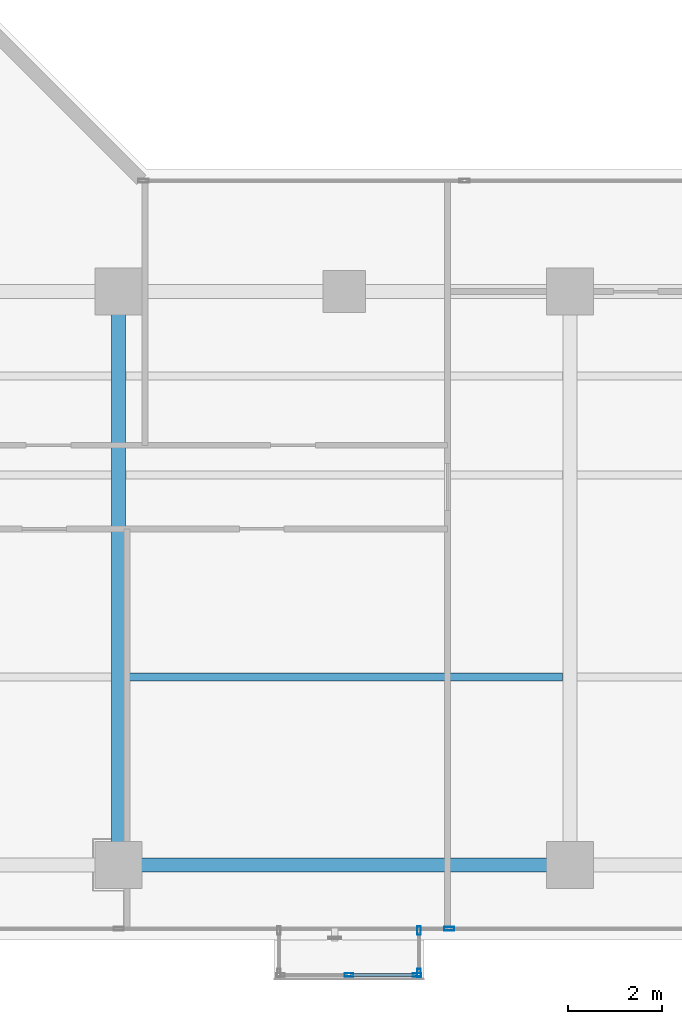
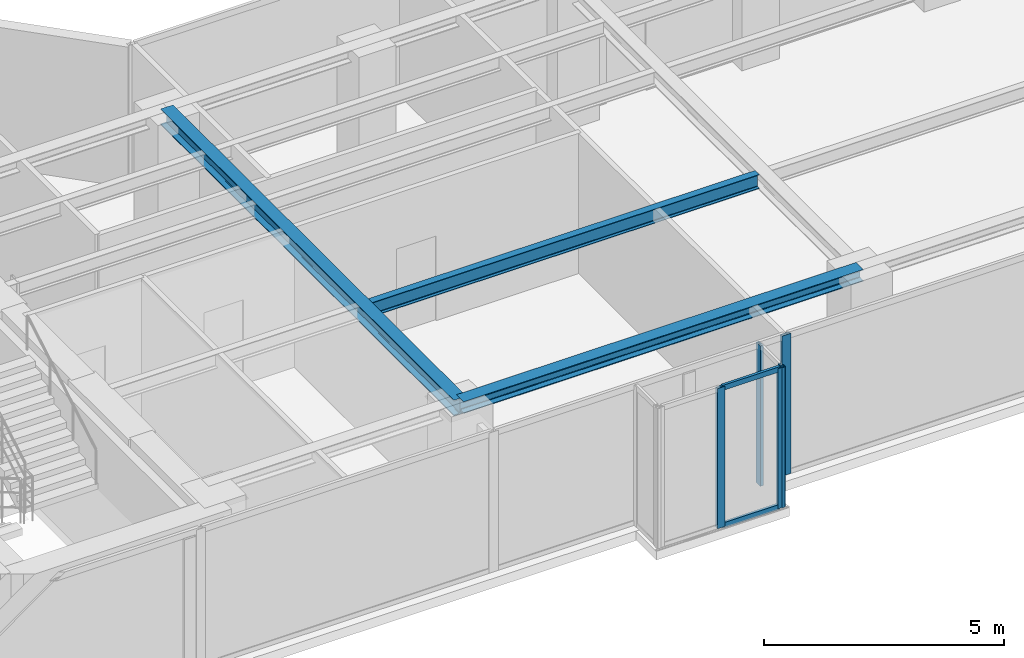
# One storey, part 5 of 23: 7 members, 3 beams, 3 elements without a shape of their own.
"""IFC4 building model written with IfcOpenShell, lengths in metres."""

from ifc_helpers import new_model, si_unit, direction, frame, origin, origin_with_axes, origin_2d, place, context, subcontext, project, spatial, hollow_rectangle, i_section, extrude, source, transform, mapped, material, layer, layer_set, material_profile, profile_set, type_object, element, aggregate, save


model = new_model("IFC4")

# Units and contexts
model_context = context("Model", 3, precision=1e-05, world=origin(), true_north=direction((0.0, 1.0)))
body_context = subcontext(model_context, "Body", "Model", "MODEL_VIEW")
ifc_project = project(units=[si_unit("LENGTHUNIT", "METRE"), si_unit("AREAUNIT", "SQUARE_METRE"), si_unit("VOLUMEUNIT", "CUBIC_METRE"), si_unit("PLANEANGLEUNIT", "RADIAN"), si_unit("MASSUNIT", "GRAM", prefix="KILO")], contexts=[model_context])

# Site, building, storey
site_placement = place(None, origin())
site = spatial("IfcSite", under=ifc_project, at=site_placement, CompositionType="ELEMENT")
building_placement = place(site_placement, origin())
building = spatial("IfcBuilding", under=site, at=building_placement, Name="Kolvaren Waterfront Exchange", CompositionType="ELEMENT")
storey_placement = place(building_placement, frame((0.0, 0.0, 234.89990234375)))
storey = spatial("IfcBuildingStorey", under=building, at=storey_placement, Name="L60", CompositionType="ELEMENT", Elevation=234.89990234375)

# Beams
ifc_material_1 = material(Name="Steel S355", Category="steel")
ifc_material_profile_1 = material_profile(ifc_material_1, i_section(OverallWidth=0.300048828125, OverallDepth=0.300048828125, WebThickness=0.010986328125, FlangeThickness=0.01904296875, FilletRadius=0.027099609375, at=origin_2d()), Name="HEB300")
ifc_profile_set_1 = profile_set([ifc_material_profile_1], Name="Steel S355")
beam_type_1 = type_object("IfcBeamType", Name="STR-BM-HEB300", PredefinedType="SPANDREL", material=ifc_profile_set_1)
beam_1_placement = place(storey_placement, frame((27.199951171875, 5.199951171875, 3.41015625), z_axis=(1.0, 0.0, 0.0), x_axis=(0.0, 1.0, 0.0)))
element("IfcBeam", 1, at=beam_1_placement, inside=storey, type_object=beam_type_1, Name="L60 east-arm spandrel S2", PredefinedType="SPANDREL", context=body_context, shape_type="SweptSolid", body=[
    extrude(i_section(OverallWidth=0.300048828125, OverallDepth=0.300048828125, WebThickness=0.010986328125, FlangeThickness=0.01904296875, FilletRadius=0.027099609375, at=origin_2d()), origin(), (0.0, 0.0, 1.0), 9.60009765625),
])
ifc_material_profile_2 = material_profile(ifc_material_1, i_section(OverallWidth=0.300048828125, OverallDepth=0.39990234375, WebThickness=0.013427734375, FlangeThickness=0.02392578125, FilletRadius=0.027099609375, at=origin_2d()), Name="HEB400")
ifc_profile_set_2 = profile_set([ifc_material_profile_2], Name="Steel S355")
beam_type_2 = type_object("IfcBeamType", Name="STR-BM-HEB400", PredefinedType="BEAM", material=ifc_profile_set_2)
beam_2_placement = place(storey_placement, frame((27.199951171875, 5.199951171875, 3.360107421875), z_axis=(0.0, 1.0, 0.0), x_axis=(-1.0, 0.0, 0.0)))
element("IfcBeam", 2, at=beam_2_placement, inside=storey, type_object=beam_type_2, Name="L60 east-arm transverse girder X27", PredefinedType="BEAM", context=body_context, shape_type="SweptSolid", body=[
    extrude(i_section(OverallWidth=0.300048828125, OverallDepth=0.39990234375, WebThickness=0.013427734375, FlangeThickness=0.02392578125, FilletRadius=0.027099609375, at=origin_2d()), origin(), (0.0, 0.0, 1.0), 12.199951171875),
])
ifc_material_profile_3 = material_profile(ifc_material_1, i_section(OverallWidth=0.169921875, OverallDepth=0.360107421875, WebThickness=0.008056640625, FlangeThickness=0.0126953125, FilletRadius=0.01806640625, at=origin_2d()), Name="IPE360")
ifc_profile_set_3 = profile_set([ifc_material_profile_3], Name="Steel S355")
beam_type_3 = type_object("IfcBeamType", Name="STR-BM-IPE360", PredefinedType="JOIST", material=ifc_profile_set_3)
beam_3_placement = place(storey_placement, frame((27.35205078125, 9.199951171875, 3.380126953125), z_axis=(1.0, 0.0, 0.0), x_axis=(0.0, 1.0, 0.0)))
element("IfcBeam", 3, at=beam_3_placement, inside=storey, type_object=beam_type_3, Name="L60 east-arm composite joist 2B", PredefinedType="JOIST", context=body_context, shape_type="SweptSolid", body=[
    extrude(i_section(OverallWidth=0.169921875, OverallDepth=0.360107421875, WebThickness=0.008056640625, FlangeThickness=0.0126953125, FilletRadius=0.01806640625, at=origin_2d()), origin(), (0.0, 0.0, 1.0), 9.2958984375),
])

# Curtain wall, members
ifc_material_2 = material(Name="Anodised bronze aluminium 6063-T6", Category="aluminium")
ifc_layer_1 = layer(ifc_material_2, 0.219970703125, Name="Anodised bronze aluminium 6063-T6")
ifc_layer_set_1 = layer_set([ifc_layer_1], Name="Anodised bronze aluminium 6063-T6")
curtain_wall_type_1 = type_object("IfcCurtainWallType", Name="ARC-CW-SYS3", PredefinedType="USERDEFINED", material=ifc_layer_set_1)
curtain_wall_1_placement = place(storey_placement, origin())
curtain_wall_1 = element("IfcCurtainWall", 4, at=curtain_wall_1_placement, inside=storey, type_object=curtain_wall_type_1, Name="L60 stick curtain wall CW3 (CW-L60-BOX)", ObjectType="STICK CURTAIN WALL", PredefinedType="USERDEFINED")
ifc_material_profile_4 = material_profile(ifc_material_2, hollow_rectangle(XDim=0.06494140625, YDim=0.1298828125, WallThickness=0.00390625, at=origin_2d()), Name="ALU-TRN-130x65x4")
ifc_profile_set_4 = profile_set([ifc_material_profile_4], Name="Anodised bronze aluminium 6063-T6")
member_type_1 = type_object("IfcMemberType", Name="ARC-CWT-130", PredefinedType="USERDEFINED", material=ifc_profile_set_4)
shared_shape_1 = source(origin_with_axes(), body_context, "Body", "SweptSolid", [
    extrude(hollow_rectangle(XDim=0.06494140625, YDim=0.1298828125, WallThickness=0.00390625, at=origin_2d()), origin(), (0.0, 0.0, 1.0), 1.37744140625),
])
member_1_placement = place(storey_placement, frame((32.137451171875, 2.860107421875, 0.03271484375), z_axis=(1.0, 0.0, 0.0), x_axis=(0.0, 1.0, 0.0)))
member_1 = element("IfcMember", 5, at=member_1_placement, type_object=member_type_1, Name="CW3 transom 2.1", ObjectType="TRANSOM", PredefinedType="USERDEFINED", context=body_context, shape_type="MappedRepresentation", body=[
    mapped(shared_shape_1, transform((0.0, 0.0, 0.0), x_axis=(1.0, 0.0, 0.0), y_axis=(0.0, 1.0, 0.0), z_axis=(0.0, 0.0, 1.0), scale=1.0)),
])
member_2_placement = place(storey_placement, frame((32.137451171875, 2.860107421875, 3.527587890625), z_axis=(1.0, 0.0, 0.0), x_axis=(0.0, 1.0, 0.0)))
member_2 = element("IfcMember", 6, at=member_2_placement, type_object=member_type_1, Name="CW3 transom 2.2", ObjectType="TRANSOM", PredefinedType="USERDEFINED", context=body_context, shape_type="MappedRepresentation", body=[
    mapped(shared_shape_1, transform((0.0, 0.0, 0.0), x_axis=(1.0, 0.0, 0.0), y_axis=(0.0, 1.0, 0.0), z_axis=(0.0, 0.0, 1.0), scale=1.0)),
])
ifc_material_profile_5 = material_profile(ifc_material_2, hollow_rectangle(XDim=0.074951171875, YDim=0.179931640625, WallThickness=0.00439453125, at=origin_2d()), Name="ALU-MUL-180x75x4.5")
ifc_profile_set_5 = profile_set([ifc_material_profile_5], Name="Anodised bronze aluminium 6063-T6")
member_type_2 = type_object("IfcMemberType", Name="ARC-CWM-180", PredefinedType="MULLION", material=ifc_profile_set_5)
shared_shape_2 = source(origin_with_axes(), body_context, "Body", "SweptSolid", [
    extrude(hollow_rectangle(XDim=0.074951171875, YDim=0.179931640625, WallThickness=0.00439453125, at=origin_2d()), origin(), (0.0, 0.0, 1.0), 3.56005859375),
])
member_3_placement = place(storey_placement, frame((32.10009765625, 2.860107421875, 0.0), z_axis=(0.0, 0.0, 1.0), x_axis=(0.0, 1.0, 0.0)))
member_3 = element("IfcMember", 7, at=member_3_placement, type_object=member_type_2, Name="CW3 mullion 2", PredefinedType="MULLION", context=body_context, shape_type="MappedRepresentation", body=[
    mapped(shared_shape_2, transform((0.0, 0.0, 0.0), x_axis=(1.0, 0.0, 0.0), y_axis=(0.0, 1.0, 0.0), z_axis=(0.0, 0.0, 1.0), scale=1.0)),
])
member_4_placement = place(storey_placement, frame((33.552490234375, 2.860107421875, 0.0), z_axis=(0.0, 0.0, 1.0), x_axis=(0.0, 1.0, 0.0)))
member_4 = element("IfcMember", 8, at=member_4_placement, type_object=member_type_2, Name="CW3 mullion 3", PredefinedType="MULLION", context=body_context, shape_type="MappedRepresentation", body=[
    mapped(shared_shape_2, transform((0.0, 0.0, 0.0), x_axis=(1.0, 0.0, 0.0), y_axis=(0.0, 1.0, 0.0), z_axis=(0.0, 0.0, 1.0), scale=1.0)),
])
aggregate(curtain_wall_1, [member_3, member_4, member_1, member_2])

curtain_wall_2_placement = place(storey_placement, origin())
curtain_wall_2 = element("IfcCurtainWall", 9, at=curtain_wall_2_placement, inside=storey, type_object=curtain_wall_type_1, Name="L60 stick curtain wall CW3 (CW-L60-BOX-E)", ObjectType="STICK CURTAIN WALL", PredefinedType="USERDEFINED")
member_5_placement = place(storey_placement, frame((33.590087890625, 2.8974609375, 0.0), z_axis=(0.0, 0.0, 1.0), x_axis=(-1.0, 0.0, 0.0)))
member_5 = element("IfcMember", 10, at=member_5_placement, type_object=member_type_2, Name="CW3 mullion 1", PredefinedType="MULLION", context=body_context, shape_type="MappedRepresentation", body=[
    mapped(shared_shape_2, transform((0.0, 0.0, 0.0), x_axis=(1.0, 0.0, 0.0), y_axis=(0.0, 1.0, 0.0), z_axis=(0.0, 0.0, 1.0), scale=1.0)),
])
member_6_placement = place(storey_placement, frame((33.590087890625, 3.802490234375, 0.0), z_axis=(0.0, 0.0, 1.0), x_axis=(-1.0, 0.0, 0.0)))
member_6 = element("IfcMember", 11, at=member_6_placement, type_object=member_type_2, Name="CW3 mullion 2", PredefinedType="MULLION", context=body_context, shape_type="MappedRepresentation", body=[
    mapped(shared_shape_2, transform((0.0, 0.0, 0.0), x_axis=(1.0, 0.0, 0.0), y_axis=(0.0, 1.0, 0.0), z_axis=(0.0, 0.0, 1.0), scale=1.0)),
])
aggregate(curtain_wall_2, [member_5, member_6])

# Curtain wall, member
ifc_layer_2 = layer(ifc_material_2, 0.219970703125, Name="Anodised bronze aluminium 6063-T6")
ifc_layer_set_2 = layer_set([ifc_layer_2], Name="Anodised bronze aluminium 6063-T6")
curtain_wall_type_2 = type_object("IfcCurtainWallType", Name="ARC-CW-SYS1", PredefinedType="USERDEFINED", material=ifc_layer_set_2)
curtain_wall_3_placement = place(storey_placement, origin())
curtain_wall_3 = element("IfcCurtainWall", 12, at=curtain_wall_3_placement, inside=storey, type_object=curtain_wall_type_2, Name="L60 stick curtain wall CW1 (CW-L60-S)", ObjectType="STICK CURTAIN WALL", PredefinedType="USERDEFINED")
ifc_material_3 = material(Name="Anodised aluminium 6063-T6", Category="aluminium")
ifc_material_profile_6 = material_profile(ifc_material_3, hollow_rectangle(XDim=0.080078125, YDim=0.219970703125, WallThickness=0.0048828125, at=origin_2d()), Name="ALU-MUL-220x80x5")
ifc_profile_set_6 = profile_set([ifc_material_profile_6], Name="Anodised aluminium 6063-T6")
member_type_3 = type_object("IfcMemberType", Name="ARC-CWM-220", PredefinedType="MULLION", material=ifc_profile_set_6)
shared_shape_3 = source(origin_with_axes(), body_context, "Body", "SweptSolid", [
    extrude(hollow_rectangle(XDim=0.080078125, YDim=0.219970703125, WallThickness=0.0048828125, at=origin_2d()), origin(), (0.0, 0.0, 1.0), 3.56005859375),
])
member_7_placement = place(storey_placement, frame((34.2333984375, 3.840087890625, 0.0), z_axis=(0.0, 0.0, 1.0), x_axis=(0.0, 1.0, 0.0)))
member_7 = element("IfcMember", 13, at=member_7_placement, type_object=member_type_3, Name="CW1 mullion 5", PredefinedType="MULLION", context=body_context, shape_type="MappedRepresentation", body=[
    mapped(shared_shape_3, transform((0.0, 0.0, 0.0), x_axis=(1.0, 0.0, 0.0), y_axis=(0.0, 1.0, 0.0), z_axis=(0.0, 0.0, 1.0), scale=1.0)),
])
aggregate(curtain_wall_3, [member_7])

save(model, "model.ifc")
